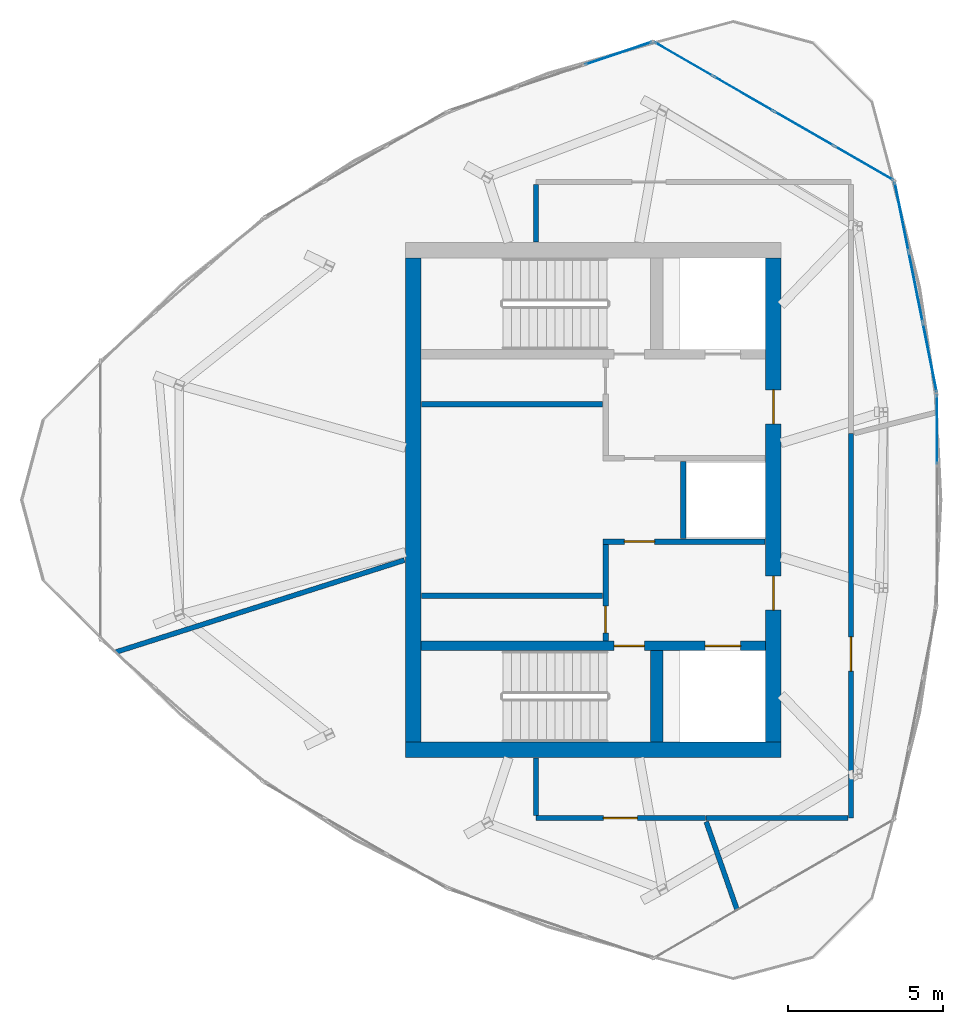
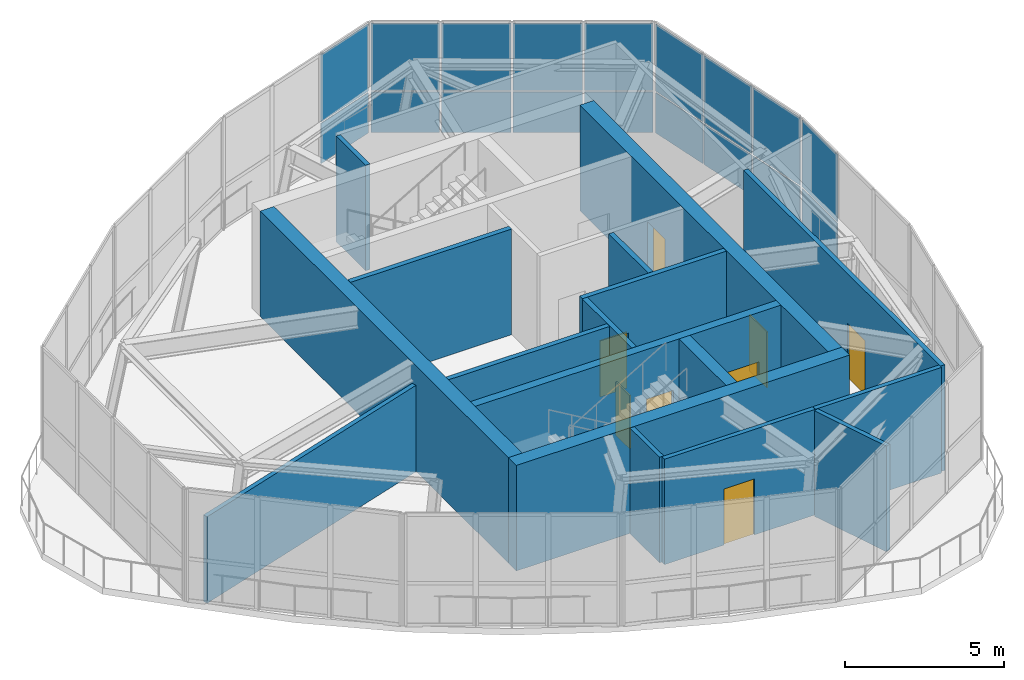
# One storey, part 7 of 11: 18 plates, 17 walls, 8 doors, 8 openings, 4 elements without a shape of their own.
"""IFC4 building model written with IfcOpenShell, lengths in metres."""

import ifcopenshell
import ifcopenshell.guid

model = None  # the IFC model being written
_history = None  # IfcOwnerHistory: only IFC2X3 demands one
_inside = {}  # id of a spatial element -> (the spatial element, [elements in it])
_under = {}  # id of a project, library or spatial element -> (it, [spatial elements below it])
_declared = {}  # id of a project -> (the project, [libraries it declares])
_typed = {}  # id of a type object -> (the type object, [elements of that type])
_made_of = {}  # id of a material, layer set ... -> (it, [elements and type objects made of it])


def new_model(schema):
    """Start an empty IFC model of exactly this schema.

    Asked for "IFC4X3", IfcOpenShell would pick the latest addendum, in which some entities
    have other attributes; the version numbers below select the first issue.
    IFC2X3 requires an IfcOwnerHistory on every rooted entity: one is made here for all.
    """
    global model, _history
    if schema == "IFC4X3":
        model = ifcopenshell.file(schema_version=(4, 3, 0, 0))
    else:
        model = ifcopenshell.file(schema=schema)
    _inside.clear()
    _under.clear()
    _declared.clear()
    _typed.clear()
    _made_of.clear()
    _history = None
    if model.schema == "IFC2X3":
        org = make("IfcOrganization", Name="unknown")
        user = make(
            "IfcPersonAndOrganization",
            ThePerson=make("IfcPerson", FamilyName="unknown"),
            TheOrganization=org,
        )
        app = make(
            "IfcApplication",
            ApplicationDeveloper=org,
            Version="unknown",
            ApplicationFullName="unknown",
            ApplicationIdentifier="unknown",
        )
        _history = make(
            "IfcOwnerHistory",
            OwningUser=user,
            OwningApplication=app,
            ChangeAction="ADDED",
            CreationDate=0,
        )
    return model


def make(cls, **values):
    """One entity of the class cls with the attributes given. An attribute that is None is left unset."""
    return model.create_entity(
        cls, **{name: value for name, value in values.items() if value is not None}
    )


def rooted(cls, **values):
    """An entity with a GlobalId (a new one), such as an element, a storey or a relation."""
    return make(cls, GlobalId=ifcopenshell.guid.new(), OwnerHistory=_history, **values)


def si_unit(unit_type, name, prefix=None):
    """IfcSIUnit, for example si_unit("LENGTHUNIT", "METRE", prefix="MILLI")."""
    return make("IfcSIUnit", UnitType=unit_type, Prefix=prefix, Name=name)


def assignment(units):
    """IfcUnitAssignment: the units of a project."""
    return None if units is None else make("IfcUnitAssignment", Units=units)


def point(xyz):
    """IfcCartesianPoint."""
    return None if xyz is None else make("IfcCartesianPoint", Coordinates=xyz)


def direction(xyz):
    """IfcDirection."""
    return None if xyz is None else make("IfcDirection", DirectionRatios=xyz)


def frame(location, z_axis=None, x_axis=None):
    """IfcAxis2Placement3D, a coordinate frame: its origin and axes. An axis left out is left unset."""
    return make(
        "IfcAxis2Placement3D",
        Location=point(location),
        Axis=direction(z_axis),
        RefDirection=direction(x_axis),
    )


def frame_2d(location, x_axis=None):
    """IfcAxis2Placement2D, a coordinate frame in the plane: its origin and x axis."""
    return make(
        "IfcAxis2Placement2D", Location=point(location), RefDirection=direction(x_axis)
    )


def origin():
    """The frame at (0, 0, 0) with its axes left unset."""
    return frame((0.0, 0.0, 0.0))


def origin_2d():
    """The frame at (0, 0) in the plane with its x axis left unset."""
    return frame_2d((0.0, 0.0))


def place(relative_to, where):
    """IfcLocalPlacement: puts the frame where relative to a parent placement (None: the world)."""
    return make(
        "IfcLocalPlacement", PlacementRelTo=relative_to, RelativePlacement=where
    )


def context(
    kind, dimensions, precision=None, world=None, true_north=None, identifier=None
):
    """IfcGeometricRepresentationContext, for example the 3D "Model" context."""
    return make(
        "IfcGeometricRepresentationContext",
        ContextIdentifier=identifier,
        ContextType=kind,
        CoordinateSpaceDimension=dimensions,
        Precision=precision,
        WorldCoordinateSystem=world,
        TrueNorth=true_north,
    )


def subcontext(parent, identifier, kind, view, scale=None):
    """IfcGeometricRepresentationSubContext, for example "Body" below "Model"."""
    return make(
        "IfcGeometricRepresentationSubContext",
        ContextIdentifier=identifier,
        ContextType=kind,
        ParentContext=parent,
        TargetScale=scale,
        TargetView=view,
    )


def project(units=None, contexts=None):
    """IfcProject with its units and contexts."""
    return rooted(
        "IfcProject",
        Name="project",
        RepresentationContexts=contexts,
        UnitsInContext=assignment(units),
    )


def spatial(cls, under=None, at=None, **own):
    """A site, building, storey or space (cls), placed at a placement, below another one or the project."""
    s = rooted(cls, ObjectPlacement=at, **own)
    if under is not None:
        _under.setdefault(under.id(), (under, []))[1].append(s)
    return s


def profile(cls, at=None, kind="AREA", **sizes):
    """A parametric profile (cls). Its sizes go by their IFC names, for example OverallWidth=200.0."""
    return make(cls, ProfileType=kind, Position=at, **sizes)


def rectangle(**sizes):
    """IfcRectangleProfileDef."""
    return profile("IfcRectangleProfileDef", **sizes)


def extrude(swept, where, along, depth):
    """IfcExtrudedAreaSolid: the profile swept, set in the frame where, extruded along a direction by depth."""
    return make(
        "IfcExtrudedAreaSolid",
        SweptArea=swept,
        Position=where,
        ExtrudedDirection=direction(along),
        Depth=depth,
    )


def shape(context_of_items, identifier, shape_type, items):
    """IfcShapeRepresentation: the items that make up one representation, for example the "Body"."""
    return make(
        "IfcShapeRepresentation",
        ContextOfItems=context_of_items,
        RepresentationIdentifier=identifier,
        RepresentationType=shape_type,
        Items=items,
    )


def source(mapping_origin, context_of_items, identifier, shape_type, items):
    """IfcRepresentationMap: a shape defined once, which mapped items show again and again."""
    return make(
        "IfcRepresentationMap",
        MappingOrigin=mapping_origin,
        MappedRepresentation=shape(context_of_items, identifier, shape_type, items),
    )


def transform(
    local_origin,
    x_axis=None,
    y_axis=None,
    z_axis=None,
    scale=None,
    scale2=None,
    scale3=None,
    uniform=True,
):
    """IfcCartesianTransformationOperator3D, or its non-uniform kind. x_axis, y_axis, z_axis: its Axis1, 2, 3."""
    if uniform:
        return make(
            "IfcCartesianTransformationOperator3D",
            Axis1=direction(x_axis),
            Axis2=direction(y_axis),
            LocalOrigin=point(local_origin),
            Scale=scale,
            Axis3=direction(z_axis),
        )
    return make(
        "IfcCartesianTransformationOperator3DnonUniform",
        Axis1=direction(x_axis),
        Axis2=direction(y_axis),
        LocalOrigin=point(local_origin),
        Scale=scale,
        Axis3=direction(z_axis),
        Scale2=scale2,
        Scale3=scale3,
    )


def mapped(mapping_source, mapping_target):
    """IfcMappedItem: shows the shape of a source again, moved by a transform."""
    return make(
        "IfcMappedItem", MappingSource=mapping_source, MappingTarget=mapping_target
    )


def material(Name=None, Category=None):
    """IfcMaterial."""
    return make("IfcMaterial", Name=Name, Category=Category)


def layer(
    of_material, thickness, ventilated=None, Name=None, Category=None, Priority=None
):
    """IfcMaterialLayer: one layer of a wall or slab, of a material (None: an air gap)."""
    return make(
        "IfcMaterialLayer",
        Material=of_material,
        LayerThickness=thickness,
        IsVentilated=ventilated,
        Name=Name,
        Category=Category,
        Priority=Priority,
    )


def layer_set(layers, Name=None):
    """IfcMaterialLayerSet."""
    return make("IfcMaterialLayerSet", MaterialLayers=layers, LayerSetName=Name)


def made_of(thing, what):
    """Note that an element or type object is made of a material, layer set ...; save() writes the relation."""
    if what is not None:
        _made_of.setdefault(what.id(), (what, []))[1].append(thing)
    return thing


def type_object(cls, material=None, **own):
    """A type object (cls), such as IfcWallType, which elements share."""
    return made_of(rooted(cls, **own), material)


def element(
    cls,
    number,
    at=None,
    inside=None,
    cuts=None,
    type_object=None,
    material=None,
    context=None,
    identifier="Body",
    shape_type=None,
    held_by="IfcProductDefinitionShape",
    body=None,
    shapes=None,
    **own,
):
    """One element of the class cls, such as IfcWall. Its Tag is "e" and its number.

    at: its placement. inside: the storey or other place that contains it. cuts: it is an
    opening in that element (IfcRelVoidsElement). A single representation is given by context,
    identifier, shape_type and body (its items); several are given by shapes. held_by: the class
    of the entity that holds the representations. save() writes the other relations.
    """
    e = rooted(cls, Tag="e%d" % number, ObjectPlacement=at, **own)
    if body is not None:
        shapes = [shape(context, identifier, shape_type, body)]
    if shapes is not None:
        e.Representation = make(held_by, Representations=shapes)
    if inside is not None:
        _inside.setdefault(inside.id(), (inside, []))[1].append(e)
    if cuts is not None:
        rooted(
            "IfcRelVoidsElement", RelatingBuildingElement=cuts, RelatedOpeningElement=e
        )
    if type_object is not None:
        _typed.setdefault(type_object.id(), (type_object, []))[1].append(e)
    return made_of(e, material)


def fill(opening, filler):
    """IfcRelFillsElement: the door or window that sits in an opening."""
    return rooted(
        "IfcRelFillsElement",
        RelatingOpeningElement=opening,
        RelatedBuildingElement=filler,
    )


def aggregate(whole, parts):
    """IfcRelAggregates: a whole, such as a stair, and the parts it consists of."""
    return rooted("IfcRelAggregates", RelatingObject=whole, RelatedObjects=parts)


def save(model, path):
    """Write the relations noted so far, then the file.

    IfcRelAggregates (storeys below a building ...), IfcRelContainedInSpatialStructure (elements
    in a storey), IfcRelDefinesByType, IfcRelAssociatesMaterial and IfcRelDeclares: one each for
    every whole, place, type object, material and project.
    """
    for whole, parts in _under.values():
        aggregate(whole, parts)
    for where, things in _inside.values():
        rooted(
            "IfcRelContainedInSpatialStructure",
            RelatedElements=things,
            RelatingStructure=where,
        )
    for kind, things in _typed.values():
        rooted("IfcRelDefinesByType", RelatedObjects=things, RelatingType=kind)
    for what, things in _made_of.values():
        rooted("IfcRelAssociatesMaterial", RelatedObjects=things, RelatingMaterial=what)
    for by, libraries in _declared.values():
        rooted("IfcRelDeclares", RelatingContext=by, RelatedDefinitions=libraries)
    model.write(path)


model = new_model("IFC4")

# Units and contexts
model_context = context("Model", 3, precision=1e-05, world=origin(), true_north=direction((0.0, 1.0)))
body_context = subcontext(model_context, "Body", "Model", "MODEL_VIEW")
ifc_project = project(units=[si_unit("LENGTHUNIT", "METRE"), si_unit("AREAUNIT", "SQUARE_METRE"), si_unit("VOLUMEUNIT", "CUBIC_METRE"), si_unit("PLANEANGLEUNIT", "RADIAN"), si_unit("MASSUNIT", "GRAM", prefix="KILO")], contexts=[model_context])

# Site, building, storey
site_placement = place(None, origin())
site = spatial("IfcSite", under=ifc_project, at=site_placement, CompositionType="ELEMENT")
building_placement = place(site_placement, origin())
building = spatial("IfcBuilding", under=site, at=building_placement, Name="Qafzar Sky-Pleat Residences", CompositionType="ELEMENT")
storey_placement = place(building_placement, frame((0.0, 0.0, 257.5)))
storey = spatial("IfcBuildingStorey", under=building, at=storey_placement, Name="L77 Crown", CompositionType="ELEMENT", Elevation=257.5)

# Curtain wall, plates
ifc_material_1 = material(Name="Anodised bronze aluminium framing", Category="aluminium")
ifc_layer_1 = layer(ifc_material_1, 0.179931640625)
ifc_layer_set_1 = layer_set([ifc_layer_1], Name="Anodised bronze aluminium framing")
curtain_wall_type = type_object("IfcCurtainWallType", Name="CW-SYS-06", PredefinedType="NOTDEFINED", material=ifc_layer_set_1)
curtain_wall_1_placement = place(storey_placement, origin())
curtain_wall_1 = element("IfcCurtainWall", 1, at=curtain_wall_1_placement, inside=storey, type_object=curtain_wall_type, Name="L77 Crown CW-06 Curtain Wall CW-CROWN-02-09", PredefinedType="NOTDEFINED")
ifc_material_2 = material(Name="Solar-control double low-E glazing", Category="glass")
ifc_layer_2 = layer(ifc_material_2, 0.02587890625)
ifc_layer_set_2 = layer_set([ifc_layer_2], Name="Solar-control double low-E glazing")
plate_type = type_object("IfcPlateType", Name="CWP-06", PredefinedType="CURTAIN_PANEL", material=ifc_layer_set_2)
shared_shape_1 = source(origin(), body_context, "Body", "SweptSolid", [
    extrude(rectangle(XDim=2.153564453125, YDim=0.02587890625, at=origin_2d()), origin(), (0.0, 0.0, 1.0), 1.5439453125),
])
plate_1_placement = place(storey_placement, frame((39.068115234375, 36.848876953125, 0.06005859375), z_axis=(0.0, 0.0, 1.0), x_axis=(-0.866023777377, 0.500002817009, 0.0)))
plate_1 = element("IfcPlate", 2, at=plate_1_placement, type_object=plate_type, Name="CW-06 panel 1.1", PredefinedType="CURTAIN_PANEL", context=body_context, shape_type="MappedRepresentation", body=[
    mapped(shared_shape_1, transform((0.0, 0.0, 0.0), x_axis=(1.0, 0.0, 0.0), y_axis=(0.0, 1.0, 0.0), z_axis=(0.0, 0.0, 1.0), scale=1.0)),
])
plate_2_placement = place(storey_placement, frame((33.26513671875, 40.19921875, 0.06005859375), z_axis=(0.0, 0.0, 1.0), x_axis=(-0.866023777377, 0.500002817009, 0.0)))
plate_2 = element("IfcPlate", 3, at=plate_2_placement, type_object=plate_type, Name="CW-06 panel 4.1", PredefinedType="CURTAIN_PANEL", context=body_context, shape_type="MappedRepresentation", body=[
    mapped(shared_shape_1, transform((0.0, 0.0, 0.0), x_axis=(1.0, 0.0, 0.0), y_axis=(0.0, 1.0, 0.0), z_axis=(0.0, 0.0, 1.0), scale=1.0)),
])
shared_shape_2 = source(origin(), body_context, "Body", "SweptSolid", [
    extrude(rectangle(XDim=2.153564453125, YDim=0.02587890625, at=origin_2d()), origin(), (0.0, 0.0, 1.0), 2.575927734375),
])
plate_3_placement = place(storey_placement, frame((39.068115234375, 36.848876953125, 1.6640625), z_axis=(0.0, 0.0, 1.0), x_axis=(-0.866023777377, 0.500002817009, 0.0)))
plate_3 = element("IfcPlate", 4, at=plate_3_placement, type_object=plate_type, Name="CW-06 panel 1.2", PredefinedType="CURTAIN_PANEL", context=body_context, shape_type="MappedRepresentation", body=[
    mapped(shared_shape_2, transform((0.0, 0.0, 0.0), x_axis=(1.0, 0.0, 0.0), y_axis=(0.0, 1.0, 0.0), z_axis=(0.0, 0.0, 1.0), scale=1.0)),
])
plate_4_placement = place(storey_placement, frame((33.26513671875, 40.19921875, 1.6640625), z_axis=(0.0, 0.0, 1.0), x_axis=(-0.866023777377, 0.500002817009, 0.0)))
plate_4 = element("IfcPlate", 5, at=plate_4_placement, type_object=plate_type, Name="CW-06 panel 4.2", PredefinedType="CURTAIN_PANEL", context=body_context, shape_type="MappedRepresentation", body=[
    mapped(shared_shape_2, transform((0.0, 0.0, 0.0), x_axis=(1.0, 0.0, 0.0), y_axis=(0.0, 1.0, 0.0), z_axis=(0.0, 0.0, 1.0), scale=1.0)),
])
shared_shape_3 = source(origin(), body_context, "Body", "SweptSolid", [
    extrude(rectangle(XDim=2.18359375, YDim=0.02587890625, at=origin_2d()), origin(), (0.0, 0.0, 1.0), 1.5439453125),
])
plate_5_placement = place(storey_placement, frame((37.13818359375, 37.963134765625, 0.06005859375), z_axis=(0.0, 0.0, 1.0), x_axis=(-0.866023777377, 0.500002817009, 0.0)))
plate_5 = element("IfcPlate", 6, at=plate_5_placement, type_object=plate_type, Name="CW-06 panel 2.1", PredefinedType="CURTAIN_PANEL", context=body_context, shape_type="MappedRepresentation", body=[
    mapped(shared_shape_3, transform((0.0, 0.0, 0.0), x_axis=(1.0, 0.0, 0.0), y_axis=(0.0, 1.0, 0.0), z_axis=(0.0, 0.0, 1.0), scale=1.0)),
])
plate_6_placement = place(storey_placement, frame((35.1953125, 39.0849609375, 0.06005859375), z_axis=(0.0, 0.0, 1.0), x_axis=(-0.866023777377, 0.500002817009, 0.0)))
plate_6 = element("IfcPlate", 7, at=plate_6_placement, type_object=plate_type, Name="CW-06 panel 3.1", PredefinedType="CURTAIN_PANEL", context=body_context, shape_type="MappedRepresentation", body=[
    mapped(shared_shape_3, transform((0.0, 0.0, 0.0), x_axis=(1.0, 0.0, 0.0), y_axis=(0.0, 1.0, 0.0), z_axis=(0.0, 0.0, 1.0), scale=1.0)),
])
shared_shape_4 = source(origin(), body_context, "Body", "SweptSolid", [
    extrude(rectangle(XDim=2.18359375, YDim=0.02587890625, at=origin_2d()), origin(), (0.0, 0.0, 1.0), 2.575927734375),
])
plate_7_placement = place(storey_placement, frame((37.13818359375, 37.963134765625, 1.6640625), z_axis=(0.0, 0.0, 1.0), x_axis=(-0.866023777377, 0.500002817009, 0.0)))
plate_7 = element("IfcPlate", 8, at=plate_7_placement, type_object=plate_type, Name="CW-06 panel 2.2", PredefinedType="CURTAIN_PANEL", context=body_context, shape_type="MappedRepresentation", body=[
    mapped(shared_shape_4, transform((0.0, 0.0, 0.0), x_axis=(1.0, 0.0, 0.0), y_axis=(0.0, 1.0, 0.0), z_axis=(0.0, 0.0, 1.0), scale=1.0)),
])
plate_8_placement = place(storey_placement, frame((35.1953125, 39.0849609375, 1.6640625), z_axis=(0.0, 0.0, 1.0), x_axis=(-0.866023777377, 0.500002817009, 0.0)))
plate_8 = element("IfcPlate", 9, at=plate_8_placement, type_object=plate_type, Name="CW-06 panel 3.2", PredefinedType="CURTAIN_PANEL", context=body_context, shape_type="MappedRepresentation", body=[
    mapped(shared_shape_4, transform((0.0, 0.0, 0.0), x_axis=(1.0, 0.0, 0.0), y_axis=(0.0, 1.0, 0.0), z_axis=(0.0, 0.0, 1.0), scale=1.0)),
])
aggregate(curtain_wall_1, [plate_1, plate_3, plate_5, plate_7, plate_6, plate_8, plate_2, plate_4])

curtain_wall_2_placement = place(storey_placement, origin())
curtain_wall_2 = element("IfcCurtainWall", 10, at=curtain_wall_2_placement, inside=storey, type_object=curtain_wall_type, Name="L77 Crown CW-06 Curtain Wall CW-CROWN-02-08", PredefinedType="NOTDEFINED")
shared_shape_5 = source(origin(), body_context, "Body", "SweptSolid", [
    extrude(rectangle(XDim=2.23974609375, YDim=0.02587890625, at=origin_2d()), origin(), (0.0, 0.0, 1.0), 1.5439453125),
])
plate_9_placement = place(storey_placement, frame((41.192138671875, 30.583740234375, 0.06005859375), z_axis=(0.0, 0.0, 1.0), x_axis=(-0.196127140892, 0.980578474476, 0.0)))
plate_9 = element("IfcPlate", 11, at=plate_9_placement, type_object=plate_type, Name="CW-06 panel 1.1", PredefinedType="CURTAIN_PANEL", context=body_context, shape_type="MappedRepresentation", body=[
    mapped(shared_shape_5, transform((0.0, 0.0, 0.0), x_axis=(1.0, 0.0, 0.0), y_axis=(0.0, 1.0, 0.0), z_axis=(0.0, 0.0, 1.0), scale=1.0)),
])
plate_10_placement = place(storey_placement, frame((40.2841796875, 35.12353515625, 0.06005859375), z_axis=(0.0, 0.0, 1.0), x_axis=(-0.196127140892, 0.980578474476, 0.0)))
plate_10 = element("IfcPlate", 12, at=plate_10_placement, type_object=plate_type, Name="CW-06 panel 3.1", PredefinedType="CURTAIN_PANEL", context=body_context, shape_type="MappedRepresentation", body=[
    mapped(shared_shape_5, transform((0.0, 0.0, 0.0), x_axis=(1.0, 0.0, 0.0), y_axis=(0.0, 1.0, 0.0), z_axis=(0.0, 0.0, 1.0), scale=1.0)),
])

# Curtain wall, plate
curtain_wall_3_placement = place(storey_placement, origin())
curtain_wall_3 = element("IfcCurtainWall", 13, at=curtain_wall_3_placement, inside=storey, type_object=curtain_wall_type, Name="L77 Crown CW-06 Curtain Wall CW-CROWN-02-10", PredefinedType="NOTDEFINED")
plate_11_placement = place(storey_placement, frame((31.1630859375, 40.389404296875, 0.06005859375), z_axis=(0.0, 0.0, 1.0), x_axis=(-0.947266024135, -0.320448247802, 0.0)))
plate_11 = element("IfcPlate", 14, at=plate_11_placement, type_object=plate_type, Name="CW-06 panel 1.1", PredefinedType="CURTAIN_PANEL", context=body_context, shape_type="MappedRepresentation", body=[
    mapped(shared_shape_5, transform((0.0, 0.0, 0.0), x_axis=(1.0, 0.0, 0.0), y_axis=(0.0, 1.0, 0.0), z_axis=(0.0, 0.0, 1.0), scale=1.0)),
])

# Plate
shared_shape_6 = source(origin(), body_context, "Body", "SweptSolid", [
    extrude(rectangle(XDim=2.23974609375, YDim=0.02587890625, at=origin_2d()), origin(), (0.0, 0.0, 1.0), 2.575927734375),
])
plate_12_placement = place(storey_placement, frame((41.192138671875, 30.583740234375, 1.6640625), z_axis=(0.0, 0.0, 1.0), x_axis=(-0.196127140892, 0.980578474476, 0.0)))
plate_12 = element("IfcPlate", 15, at=plate_12_placement, type_object=plate_type, Name="CW-06 panel 1.2", PredefinedType="CURTAIN_PANEL", context=body_context, shape_type="MappedRepresentation", body=[
    mapped(shared_shape_6, transform((0.0, 0.0, 0.0), x_axis=(1.0, 0.0, 0.0), y_axis=(0.0, 1.0, 0.0), z_axis=(0.0, 0.0, 1.0), scale=1.0)),
])

plate_13_placement = place(storey_placement, frame((40.2841796875, 35.12353515625, 1.6640625), z_axis=(0.0, 0.0, 1.0), x_axis=(-0.196127140892, 0.980578474476, 0.0)))
plate_13 = element("IfcPlate", 16, at=plate_13_placement, type_object=plate_type, Name="CW-06 panel 3.2", PredefinedType="CURTAIN_PANEL", context=body_context, shape_type="MappedRepresentation", body=[
    mapped(shared_shape_6, transform((0.0, 0.0, 0.0), x_axis=(1.0, 0.0, 0.0), y_axis=(0.0, 1.0, 0.0), z_axis=(0.0, 0.0, 1.0), scale=1.0)),
])

plate_14_placement = place(storey_placement, frame((31.1630859375, 40.389404296875, 1.6640625), z_axis=(0.0, 0.0, 1.0), x_axis=(-0.947266024135, -0.320448247802, 0.0)))
plate_14 = element("IfcPlate", 17, at=plate_14_placement, type_object=plate_type, Name="CW-06 panel 1.2", PredefinedType="CURTAIN_PANEL", context=body_context, shape_type="MappedRepresentation", body=[
    mapped(shared_shape_6, transform((0.0, 0.0, 0.0), x_axis=(1.0, 0.0, 0.0), y_axis=(0.0, 1.0, 0.0), z_axis=(0.0, 0.0, 1.0), scale=1.0)),
])

aggregate(curtain_wall_3, [plate_11, plate_14])

shared_shape_7 = source(origin(), body_context, "Body", "SweptSolid", [
    extrude(rectangle(XDim=2.269775390625, YDim=0.02587890625, at=origin_2d()), origin(), (0.0, 0.0, 1.0), 1.5439453125),
])
plate_15_placement = place(storey_placement, frame((40.738037109375, 32.853515625, 0.06005859375), z_axis=(0.0, 0.0, 1.0), x_axis=(-0.196127140892, 0.980578474476, 0.0)))
plate_15 = element("IfcPlate", 18, at=plate_15_placement, type_object=plate_type, Name="CW-06 panel 2.1", PredefinedType="CURTAIN_PANEL", context=body_context, shape_type="MappedRepresentation", body=[
    mapped(shared_shape_7, transform((0.0, 0.0, 0.0), x_axis=(1.0, 0.0, 0.0), y_axis=(0.0, 1.0, 0.0), z_axis=(0.0, 0.0, 1.0), scale=1.0)),
])

shared_shape_8 = source(origin(), body_context, "Body", "SweptSolid", [
    extrude(rectangle(XDim=2.269775390625, YDim=0.02587890625, at=origin_2d()), origin(), (0.0, 0.0, 1.0), 2.575927734375),
])
plate_16_placement = place(storey_placement, frame((40.738037109375, 32.853515625, 1.6640625), z_axis=(0.0, 0.0, 1.0), x_axis=(-0.196127140892, 0.980578474476, 0.0)))
plate_16 = element("IfcPlate", 19, at=plate_16_placement, type_object=plate_type, Name="CW-06 panel 2.2", PredefinedType="CURTAIN_PANEL", context=body_context, shape_type="MappedRepresentation", body=[
    mapped(shared_shape_8, transform((0.0, 0.0, 0.0), x_axis=(1.0, 0.0, 0.0), y_axis=(0.0, 1.0, 0.0), z_axis=(0.0, 0.0, 1.0), scale=1.0)),
])

aggregate(curtain_wall_2, [plate_9, plate_12, plate_15, plate_16, plate_10, plate_13])

# Curtain wall, plates
curtain_wall_4_placement = place(storey_placement, origin())
curtain_wall_4 = element("IfcCurtainWall", 20, at=curtain_wall_4_placement, inside=storey, type_object=curtain_wall_type, Name="L77 Crown CW-06 Curtain Wall CW-CROWN-02-07", PredefinedType="NOTDEFINED")
shared_shape_9 = source(origin(), body_context, "Body", "SweptSolid", [
    extrude(rectangle(XDim=2.194580078125, YDim=0.02587890625, at=origin_2d()), origin(), (0.0, 0.0, 1.0), 1.5439453125),
])
plate_17_placement = place(storey_placement, frame((41.423583984375, 28.26953125, 0.06005859375), z_axis=(0.0, 0.0, 1.0), x_axis=(0.0, 1.0, 0.0)))
plate_17 = element("IfcPlate", 21, at=plate_17_placement, type_object=plate_type, Name="CW-06 panel 3.1", PredefinedType="CURTAIN_PANEL", context=body_context, shape_type="MappedRepresentation", body=[
    mapped(shared_shape_9, transform((0.0, 0.0, 0.0), x_axis=(1.0, 0.0, 0.0), y_axis=(0.0, 1.0, 0.0), z_axis=(0.0, 0.0, 1.0), scale=1.0)),
])
shared_shape_10 = source(origin(), body_context, "Body", "SweptSolid", [
    extrude(rectangle(XDim=2.194580078125, YDim=0.02587890625, at=origin_2d()), origin(), (0.0, 0.0, 1.0), 2.575927734375),
])
plate_18_placement = place(storey_placement, frame((41.423583984375, 28.26953125, 1.6640625), z_axis=(0.0, 0.0, 1.0), x_axis=(0.0, 1.0, 0.0)))
plate_18 = element("IfcPlate", 22, at=plate_18_placement, type_object=plate_type, Name="CW-06 panel 3.2", PredefinedType="CURTAIN_PANEL", context=body_context, shape_type="MappedRepresentation", body=[
    mapped(shared_shape_10, transform((0.0, 0.0, 0.0), x_axis=(1.0, 0.0, 0.0), y_axis=(0.0, 1.0, 0.0), z_axis=(0.0, 0.0, 1.0), scale=1.0)),
])
aggregate(curtain_wall_4, [plate_17, plate_18])

# Wall, opening, door
ifc_material_3 = material(Name="Acoustic gypsum plasterboard partition", Category="gypsum")
ifc_layer_3 = layer(ifc_material_3, 0.159912109375)
ifc_layer_set_3 = layer_set([ifc_layer_3], Name="Acoustic gypsum plasterboard partition")
wall_type_1 = type_object("IfcWallType", Name="PART-COR-160", PredefinedType="PARTITIONING", material=ifc_layer_set_3)
wall_1_placement = place(storey_placement, frame((38.64990234375, 28.135009765625, 0.0), z_axis=(0.0, 0.0, 1.0), x_axis=(0.0, -1.0, 0.0)))
wall_1 = element("IfcWall", 23, at=wall_1_placement, inside=storey, type_object=wall_type_1, Name="L77 Crown Partition Wall PART-L77_Crown-PW-001", PredefinedType="PARTITIONING", context=body_context, shape_type="SweptSolid", body=[
    extrude(rectangle(XDim=12.385009765625, YDim=0.159912109375, at=frame_2d((6.1923828125, 0.0))), origin(), (0.0, 0.0, 1.0), 4.050048828125),
])
opening_1_placement = place(wall_1_placement, frame((6.54638671875, 0.0, 0.0)))
opening_1 = element("IfcOpeningElement", 24, at=opening_1_placement, cuts=wall_1, Name="Opening ID-02", PredefinedType="OPENING", context=body_context, shape_type="SweptSolid", body=[
    extrude(rectangle(XDim=1.10009765625, YDim=2.14990234375, at=frame_2d((0.550048828125, 1.074951171875))), frame((0.0, 0.08984375, 0.0), z_axis=(0.0, -1.0, 0.0), x_axis=(1.0, 0.0, 0.0)), (0.0, 0.0, 1.0), 0.179931640625),
])
ifc_material_4 = material(Name="Timber-faced fire door", Category="wood")
door_type_1 = type_object("IfcDoorType", Name="DR-FFL-1100", OperationType="NOTDEFINED", PredefinedType="DOOR", material=ifc_material_4)
shared_shape_11 = source(origin(), body_context, "Body", "SweptSolid", [
    extrude(rectangle(XDim=1.10009765625, YDim=2.14990234375, at=frame_2d((0.550048828125, 1.074951171875))), frame((0.0, 0.02490234375, 0.0), z_axis=(0.0, -1.0, 0.0), x_axis=(1.0, 0.0, 0.0)), (0.0, 0.0, 1.0), 0.050048828125),
])
door_1_placement = place(opening_1_placement, origin())
door_1 = element("IfcDoor", 25, at=door_1_placement, inside=storey, type_object=door_type_1, Name="L77 Crown Crown Pressurization and Extract Fan Plant Room Door", OperationType="SINGLE_SWING_LEFT", OverallHeight=2.14990234375, OverallWidth=1.10009765625, PredefinedType="DOOR", context=body_context, shape_type="MappedRepresentation", body=[
    mapped(shared_shape_11, transform((0.0, 0.0, 0.0), x_axis=(1.0, 0.0, 0.0), y_axis=(0.0, 1.0, 0.0), z_axis=(0.0, 0.0, 1.0), scale=1.0)),
])
fill(opening_1, door_1)

wall_2_placement = place(storey_placement, frame((28.5, 15.75, 0.0), z_axis=(0.0, 0.0, 1.0), x_axis=(1.0, 0.0, 0.0)))
wall_2 = element("IfcWall", 26, at=wall_2_placement, inside=storey, type_object=wall_type_1, Name="L77 Crown Partition Wall PART-L77_Crown-PW-003", PredefinedType="PARTITIONING", context=body_context, shape_type="SweptSolid", body=[
    extrude(rectangle(XDim=5.464111328125, YDim=0.159912109375, at=frame_2d((2.73193359375, 0.0))), origin(), (0.0, 0.0, 1.0), 4.050048828125),
])
opening_2_placement = place(wall_2_placement, frame((2.174072265625, 0.0, 0.0)))
opening_2 = element("IfcOpeningElement", 27, at=opening_2_placement, cuts=wall_2, Name="Opening ID-02", PredefinedType="OPENING", context=body_context, shape_type="SweptSolid", body=[
    extrude(rectangle(XDim=1.10009765625, YDim=2.14990234375, at=frame_2d((0.550048828125, 1.074951171875))), frame((0.0, 0.08984375, 0.0), z_axis=(0.0, -1.0, 0.0), x_axis=(1.0, 0.0, 0.0)), (0.0, 0.0, 1.0), 0.179931640625),
])
door_2_placement = place(opening_2_placement, origin())
door_2 = element("IfcDoor", 28, at=door_2_placement, inside=storey, type_object=door_type_1, Name="L77 Crown Crown Cooling Tower and Heat Recovery Plant Room Door", OperationType="SINGLE_SWING_LEFT", OverallHeight=2.14990234375, OverallWidth=1.10009765625, PredefinedType="DOOR", context=body_context, shape_type="MappedRepresentation", body=[
    mapped(shared_shape_11, transform((0.0, 0.0, 0.0), x_axis=(1.0, 0.0, 0.0), y_axis=(0.0, 1.0, 0.0), z_axis=(0.0, 0.0, 1.0), scale=1.0)),
])
fill(opening_2, door_2)

# Walls
wall_3_placement = place(storey_placement, frame((14.97900390625, 21.10302734375, 0.0), z_axis=(0.0, 0.0, 1.0), x_axis=(0.952804016236, 0.303586077818, 0.0)))
element("IfcWall", 29, at=wall_3_placement, inside=storey, type_object=wall_type_1, Name="L77 Crown Partition Wall PART-L77_Crown-PW-004", PredefinedType="PARTITIONING", context=body_context, shape_type="SweptSolid", body=[
    extrude(rectangle(XDim=9.749267578125, YDim=0.159912109375, at=frame_2d((4.87451171875, 0.0))), origin(), (0.0, 0.0, 1.0), 3.318115234375),
])
wall_4_placement = place(storey_placement, frame((33.97900390625, 15.75, 0.0), z_axis=(0.0, 0.0, 1.0), x_axis=(1.0, 0.0, 0.0)))
element("IfcWall", 30, at=wall_4_placement, inside=storey, type_object=wall_type_1, Name="L77 Crown Partition Wall PART-L77_Crown-PW-006", PredefinedType="PARTITIONING", context=body_context, shape_type="SweptSolid", body=[
    extrude(rectangle(XDim=4.5830078125, YDim=0.159912109375, at=frame_2d((2.29150390625, 0.0))), origin(), (0.0, 0.0, 1.0), 4.050048828125),
])
wall_5_placement = place(storey_placement, frame((33.988037109375, 15.635986328125, 0.0), z_axis=(0.0, 0.0, 1.0), x_axis=(0.331108156221, -0.943592808834, 0.0)))
element("IfcWall", 31, at=wall_5_placement, inside=storey, type_object=wall_type_1, Name="L77 Crown Partition Wall PART-L77_Crown-PW-007", PredefinedType="PARTITIONING", context=body_context, shape_type="SweptSolid", body=[
    extrude(rectangle(XDim=2.98486328125, YDim=0.159912109375, at=frame_2d((1.492431640625, 0.0))), origin(), (0.0, 0.0, 1.0), 4.050048828125),
])
for number, where, z_axis, x_axis, name in (
    (32, (28.5, 34.30810546875, 0.0), (0.0, 0.0, 1.0), (0.0, 1.0, 0.0), "L77 Crown Partition Wall PART-L77_Crown-PW-009"),
    (33, (28.5, 15.837890625, 0.0), (0.0, 0.0, 1.0), (0.0, 1.0, 0.0), "L77 Crown Partition Wall PART-L77_Crown-PW-010"),
):
    element("IfcWall", number, at=place(storey_placement, frame(where, z_axis=z_axis, x_axis=x_axis)), inside=storey, type_object=wall_type_1, Name=name, PredefinedType="PARTITIONING", context=body_context, shape_type="SweptSolid", body=[
        extrude(rectangle(XDim=1.85400390625, YDim=0.159912109375, at=frame_2d((0.927001953125, 0.0))), origin(), (0.0, 0.0, 1.0), 4.050048828125),
    ])

# Wall, opening, door
ifc_material_5 = material(Name="Concrete blockwork partition", Category="masonry")
ifc_layer_4 = layer(ifc_material_5, 0.179931640625)
ifc_layer_set_4 = layer_set([ifc_layer_4], Name="Concrete blockwork partition")
wall_type_2 = type_object("IfcWallType", Name="PART-SHAFT-180", PredefinedType="PARTITIONING", material=ifc_layer_set_4)
wall_6_placement = place(storey_placement, frame((30.75, 21.4599609375, 0.0), z_axis=(0.0, 0.0, 1.0), x_axis=(0.0, 1.0, 0.0)))
wall_6 = element("IfcWall", 34, at=wall_6_placement, inside=storey, type_object=wall_type_2, Name="L77 Crown Partition Wall PART-L77_Crown-FFL1-W", PredefinedType="PARTITIONING", context=body_context, shape_type="SweptSolid", body=[
    extrude(rectangle(XDim=3.110107421875, YDim=0.179931640625, at=frame_2d((1.55517578125, 0.0))), origin(), (0.0, 0.0, 1.0), 4.050048828125),
])
opening_3_placement = place(wall_6_placement, frame((0.260009765625, 0.0, 0.0)))
opening_3 = element("IfcOpeningElement", 35, at=opening_3_placement, cuts=wall_6, Name="Opening ID-09", PredefinedType="OPENING", context=body_context, shape_type="SweptSolid", body=[
    extrude(rectangle(XDim=0.860107421875, YDim=2.050048828125, at=frame_2d((0.43017578125, 1.02490234375))), frame((0.0, 0.10009765625, 0.0), z_axis=(0.0, -1.0, 0.0), x_axis=(1.0, 0.0, 0.0)), (0.0, 0.0, 1.0), 0.199951171875),
])
door_type_2 = type_object("IfcDoorType", Name="DR-SVC-860", OperationType="NOTDEFINED", PredefinedType="DOOR", material=ifc_material_4)
shared_shape_12 = source(origin(), body_context, "Body", "SweptSolid", [
    extrude(rectangle(XDim=0.860107421875, YDim=2.050048828125, at=frame_2d((0.43017578125, 1.02490234375))), frame((0.0, 0.02490234375, 0.0), z_axis=(0.0, -1.0, 0.0), x_axis=(1.0, 0.0, 0.0)), (0.0, 0.0, 1.0), 0.050048828125),
])
door_3_placement = place(opening_3_placement, origin())
door_3 = element("IfcDoor", 36, at=door_3_placement, inside=storey, type_object=door_type_2, Name="L77 Crown South Core Cupboard Door", OperationType="SINGLE_SWING_LEFT", OverallHeight=2.050048828125, OverallWidth=0.860107421875, PredefinedType="DOOR", context=body_context, shape_type="MappedRepresentation", body=[
    mapped(shared_shape_12, transform((0.0, 0.0, 0.0), x_axis=(1.0, 0.0, 0.0), y_axis=(0.0, 1.0, 0.0), z_axis=(0.0, 0.0, 1.0), scale=1.0)),
])
fill(opening_3, door_3)

wall_7_placement = place(storey_placement, frame((30.669921875, 24.659912109375, 0.0), z_axis=(0.0, 0.0, 1.0), x_axis=(1.0, 0.0, 0.0)))
wall_7 = element("IfcWall", 37, at=wall_7_placement, inside=storey, type_object=wall_type_2, Name="L77 Crown Partition Wall PART-L77_Crown-FFL1-N", PredefinedType="PARTITIONING", context=body_context, shape_type="SweptSolid", body=[
    extrude(rectangle(XDim=5.219970703125, YDim=0.179931640625, at=frame_2d((2.60986328125, 0.0))), origin(), (0.0, 0.0, 1.0), 4.050048828125),
])
opening_4_placement = place(wall_7_placement, frame((0.679931640625, 0.0, 0.0)))
opening_4 = element("IfcOpeningElement", 38, at=opening_4_placement, cuts=wall_7, Name="Opening ID-01", PredefinedType="OPENING", context=body_context, shape_type="SweptSolid", body=[
    extrude(rectangle(XDim=0.97998046875, YDim=2.14990234375, at=frame_2d((0.489990234375, 1.074951171875))), frame((0.0, 0.10009765625, 0.0), z_axis=(0.0, -1.0, 0.0), x_axis=(1.0, 0.0, 0.0)), (0.0, 0.0, 1.0), 0.199951171875),
])
door_type_3 = type_object("IfcDoorType", Name="DR-STAIR-980", OperationType="NOTDEFINED", PredefinedType="DOOR", material=ifc_material_4)
shared_shape_13 = source(origin(), body_context, "Body", "SweptSolid", [
    extrude(rectangle(XDim=0.97998046875, YDim=2.14990234375, at=frame_2d((0.489990234375, 1.074951171875))), frame((0.0, 0.02490234375, 0.0), z_axis=(0.0, -1.0, 0.0), x_axis=(1.0, 0.0, 0.0)), (0.0, 0.0, 1.0), 0.050048828125),
])
door_4_placement = place(opening_4_placement, origin())
door_4 = element("IfcDoor", 39, at=door_4_placement, inside=storey, type_object=door_type_3, Name="L77 Crown Lift Lobby to South Firefighting Lobby Door", OperationType="SINGLE_SWING_RIGHT", OverallHeight=2.14990234375, OverallWidth=0.97998046875, PredefinedType="DOOR", context=body_context, shape_type="MappedRepresentation", body=[
    mapped(shared_shape_13, transform((0.0, 0.0, 0.0), x_axis=(1.0, 0.0, 0.0), y_axis=(0.0, 1.0, 0.0), z_axis=(0.0, 0.0, 1.0), scale=1.0)),
])
fill(opening_4, door_4)

# Walls
wall_8_placement = place(storey_placement, frame((33.25, 24.760009765625, 0.0), z_axis=(0.0, 0.0, 1.0), x_axis=(0.0, 1.0, 0.0)))
element("IfcWall", 40, at=wall_8_placement, inside=storey, type_object=wall_type_2, Name="L77 Crown Partition Wall PART-L77_Crown-SV1-W", PredefinedType="PARTITIONING", context=body_context, shape_type="SweptSolid", body=[
    extrude(rectangle(XDim=2.47998046875, YDim=0.179931640625, at=frame_2d((1.239990234375, 0.0))), origin(), (0.0, 0.0, 1.0), 4.050048828125),
])
for number, where, z_axis, x_axis, name in (
    (41, (24.81005859375, 22.919921875, 0.0), (0.0, 0.0, 1.0), (1.0, 0.0, 0.0), "L77 Crown Partition Wall PART-L77_Crown-P13-S"),
    (42, (24.81005859375, 29.080078125, 0.0), (0.0, 0.0, 1.0), (1.0, 0.0, 0.0), "L77 Crown Partition Wall PART-L77_Crown-P46-N"),
):
    element("IfcWall", number, at=place(storey_placement, frame(where, z_axis=z_axis, x_axis=x_axis)), inside=storey, type_object=wall_type_2, Name=name, PredefinedType="PARTITIONING", context=body_context, shape_type="SweptSolid", body=[
        extrude(rectangle(XDim=5.83984375, YDim=0.179931640625, at=frame_2d((2.919921875, 0.0))), origin(), (0.0, 0.0, 1.0), 4.050048828125),
    ])

# Wall, openings, doors
ifc_material_6 = material(Name="Concrete C60/75", Category="concrete")
ifc_layer_5 = layer(ifc_material_6, 0.300048828125)
ifc_layer_set_5 = layer_set([ifc_layer_5], Name="Concrete C60/75")
wall_type_3 = type_object("IfcWallType", Name="WALL-SHEAR-300", PredefinedType="SHEAR", material=ifc_layer_set_5)
wall_9_placement = place(storey_placement, frame((24.800048828125, 21.300048828125, 0.0), z_axis=(0.0, 0.0, 1.0), x_axis=(1.0, 0.0, 0.0)))
wall_9 = element("IfcWall", 43, at=wall_9_placement, inside=storey, type_object=wall_type_3, Name="L77 Crown Stair ST1 and FF1 Shaft North Wall", PredefinedType="SHEAR", context=body_context, shape_type="SweptSolid", body=[
    extrude(rectangle(XDim=11.099853515625, YDim=0.300048828125, at=frame_2d((5.5498046875, 0.0))), origin(), (0.0, 0.0, 1.0), 4.050048828125),
])
opening_5_placement = place(wall_9_placement, frame((6.219970703125, 0.0, 0.0)))
opening_5 = element("IfcOpeningElement", 44, at=opening_5_placement, cuts=wall_9, Name="Opening ID-01", PredefinedType="OPENING", context=body_context, shape_type="SweptSolid", body=[
    extrude(rectangle(XDim=0.97998046875, YDim=2.14990234375, at=frame_2d((0.489990234375, 1.074951171875))), frame((0.0, 0.16015625, 0.0), z_axis=(0.0, -1.0, 0.0), x_axis=(1.0, 0.0, 0.0)), (0.0, 0.0, 1.0), 0.320068359375),
])
opening_6_placement = place(wall_9_placement, frame((9.14990234375, 0.0, 0.0)))
opening_6 = element("IfcOpeningElement", 45, at=opening_6_placement, cuts=wall_9, Name="Opening LD-02", PredefinedType="OPENING", context=body_context, shape_type="SweptSolid", body=[
    extrude(rectangle(XDim=1.14990234375, YDim=2.14990234375, at=frame_2d((0.574951171875, 1.074951171875))), frame((0.0, 0.16015625, 0.0), z_axis=(0.0, -1.0, 0.0), x_axis=(1.0, 0.0, 0.0)), (0.0, 0.0, 1.0), 0.320068359375),
])
door_5_placement = place(opening_5_placement, origin())
door_5 = element("IfcDoor", 46, at=door_5_placement, inside=storey, type_object=door_type_3, Name="L77 Crown Stair ST1 Fire Door", OperationType="SINGLE_SWING_LEFT", OverallHeight=2.14990234375, OverallWidth=0.97998046875, PredefinedType="DOOR", context=body_context, shape_type="MappedRepresentation", body=[
    mapped(shared_shape_13, transform((0.0, 0.0, 0.0), x_axis=(1.0, 0.0, 0.0), y_axis=(0.0, 1.0, 0.0), z_axis=(0.0, 0.0, 1.0), scale=1.0)),
])
fill(opening_5, door_5)
ifc_material_7 = material(Name="Stainless steel sliding landing door", Category="steel")
door_type_4 = type_object("IfcDoorType", Name="DR-LIFT-FF", OperationType="DOUBLE_DOOR_SLIDING", PredefinedType="DOOR", material=ifc_material_7)
shared_shape_14 = source(origin(), body_context, "Body", "SweptSolid", [
    extrude(rectangle(XDim=1.14990234375, YDim=2.14990234375, at=frame_2d((0.574951171875, 1.074951171875))), frame((0.0, 0.02490234375, 0.0), z_axis=(0.0, -1.0, 0.0), x_axis=(1.0, 0.0, 0.0)), (0.0, 0.0, 1.0), 0.050048828125),
])
door_6_placement = place(opening_6_placement, origin())
door_6 = element("IfcDoor", 47, at=door_6_placement, inside=storey, type_object=door_type_4, Name="L77 Crown Firefighting Lift FF1 Landing Door", OperationType="DOUBLE_DOOR_SLIDING", OverallHeight=2.14990234375, OverallWidth=1.14990234375, PredefinedType="DOOR", context=body_context, shape_type="MappedRepresentation", body=[
    mapped(shared_shape_14, transform((0.0, 0.0, 0.0), x_axis=(1.0, 0.0, 0.0), y_axis=(0.0, 1.0, 0.0), z_axis=(0.0, 0.0, 1.0), scale=1.0)),
])
fill(opening_6, door_6)

# Walls
ifc_layer_6 = layer(ifc_material_6, 0.39990234375)
ifc_layer_set_6 = layer_set([ifc_layer_6], Name="Concrete C60/75")
wall_type_4 = type_object("IfcWallType", Name="WALL-SHEAR-400", PredefinedType="SHEAR", material=ifc_layer_set_6)
wall_10_placement = place(storey_placement, frame((32.39990234375, 18.199951171875, 0.0), z_axis=(0.0, 0.0, 1.0), x_axis=(0.0, 1.0, 0.0)))
element("IfcWall", 48, at=wall_10_placement, inside=storey, type_object=wall_type_4, Name="L77 Crown Stair ST1 East Dividing Wall", PredefinedType="SHEAR", context=body_context, shape_type="SweptSolid", body=[
    extrude(rectangle(XDim=2.949951171875, YDim=0.39990234375, at=frame_2d((1.47509765625, 0.0))), origin(), (0.0, 0.0, 1.0), 4.050048828125),
])
ifc_layer_7 = layer(ifc_material_6, 0.5)
ifc_layer_set_7 = layer_set([ifc_layer_7], Name="Concrete C60/75")
wall_type_5 = type_object("IfcWallType", Name="WALL-SHEAR-500", PredefinedType="SHEAR", material=ifc_layer_set_7)
wall_11_placement = place(storey_placement, frame((24.300048828125, 17.949951171875, 0.0), z_axis=(0.0, 0.0, 1.0), x_axis=(1.0, 0.0, 0.0)))
element("IfcWall", 49, at=wall_11_placement, inside=storey, type_object=wall_type_5, Name="L77 Crown CORE wall S", PredefinedType="SHEAR", context=body_context, shape_type="SweptSolid", body=[
    extrude(rectangle(XDim=12.099853515625, YDim=0.5, at=frame_2d((6.0498046875, 0.0))), origin(), (0.0, 0.0, 1.0), 4.050048828125),
])
wall_12_placement = place(storey_placement, frame((24.550048828125, 33.800048828125, 0.0), z_axis=(0.0, 0.0, 1.0), x_axis=(0.0, -1.0, 0.0)))
element("IfcWall", 50, at=wall_12_placement, inside=storey, type_object=wall_type_5, Name="L77 Crown CORE wall W", PredefinedType="SHEAR", context=body_context, shape_type="SweptSolid", body=[
    extrude(rectangle(XDim=15.60009765625, YDim=0.5, at=frame_2d((7.800048828125, 0.0))), origin(), (0.0, 0.0, 1.0), 4.050048828125),
])

# Wall, openings, doors
wall_13_placement = place(storey_placement, frame((36.14990234375, 18.199951171875, 0.0), z_axis=(0.0, 0.0, 1.0), x_axis=(0.0, 1.0, 0.0)))
wall_13 = element("IfcWall", 51, at=wall_13_placement, inside=storey, type_object=wall_type_5, Name="L77 Crown CORE wall E", PredefinedType="SHEAR", context=body_context, shape_type="SweptSolid", body=[
    extrude(rectangle(XDim=15.60009765625, YDim=0.5, at=frame_2d((7.800048828125, 0.0))), origin(), (0.0, 0.0, 1.0), 4.050048828125),
])
opening_7_placement = place(wall_13_placement, frame((4.25, 0.0, 0.0)))
opening_7 = element("IfcOpeningElement", 52, at=opening_7_placement, cuts=wall_13, Name="Opening ID-02", PredefinedType="OPENING", context=body_context, shape_type="SweptSolid", body=[
    extrude(rectangle(XDim=1.10009765625, YDim=2.14990234375, at=frame_2d((0.550048828125, 1.074951171875))), frame((0.0, 0.260009765625, 0.0), z_axis=(0.0, -1.0, 0.0), x_axis=(1.0, 0.0, 0.0)), (0.0, 0.0, 1.0), 0.52001953125),
])
opening_8_placement = place(wall_13_placement, frame((10.25, 0.0, 0.0)))
opening_8 = element("IfcOpeningElement", 53, at=opening_8_placement, cuts=wall_13, Name="Opening ID-02", PredefinedType="OPENING", context=body_context, shape_type="SweptSolid", body=[
    extrude(rectangle(XDim=1.10009765625, YDim=2.14990234375, at=frame_2d((0.550048828125, 1.074951171875))), frame((0.0, 0.260009765625, 0.0), z_axis=(0.0, -1.0, 0.0), x_axis=(1.0, 0.0, 0.0)), (0.0, 0.0, 1.0), 0.52001953125),
])
door_7_placement = place(opening_7_placement, origin())
door_7 = element("IfcDoor", 54, at=door_7_placement, inside=storey, type_object=door_type_1, Name="L77 Crown Firefighting Lobby South Corridor Door", OperationType="SINGLE_SWING_LEFT", OverallHeight=2.14990234375, OverallWidth=1.10009765625, PredefinedType="DOOR", context=body_context, shape_type="MappedRepresentation", body=[
    mapped(shared_shape_11, transform((0.0, 0.0, 0.0), x_axis=(1.0, 0.0, 0.0), y_axis=(0.0, 1.0, 0.0), z_axis=(0.0, 0.0, 1.0), scale=1.0)),
])
fill(opening_7, door_7)
door_8_placement = place(opening_8_placement, origin())
door_8 = element("IfcDoor", 55, at=door_8_placement, inside=storey, type_object=door_type_1, Name="L77 Crown Firefighting Lobby North Corridor Door", OperationType="SINGLE_SWING_RIGHT", OverallHeight=2.14990234375, OverallWidth=1.10009765625, PredefinedType="DOOR", context=body_context, shape_type="MappedRepresentation", body=[
    mapped(shared_shape_11, transform((0.0, 0.0, 0.0), x_axis=(1.0, 0.0, 0.0), y_axis=(0.0, 1.0, 0.0), z_axis=(0.0, 0.0, 1.0), scale=1.0)),
])
fill(opening_8, door_8)

save(model, "model.ifc")
